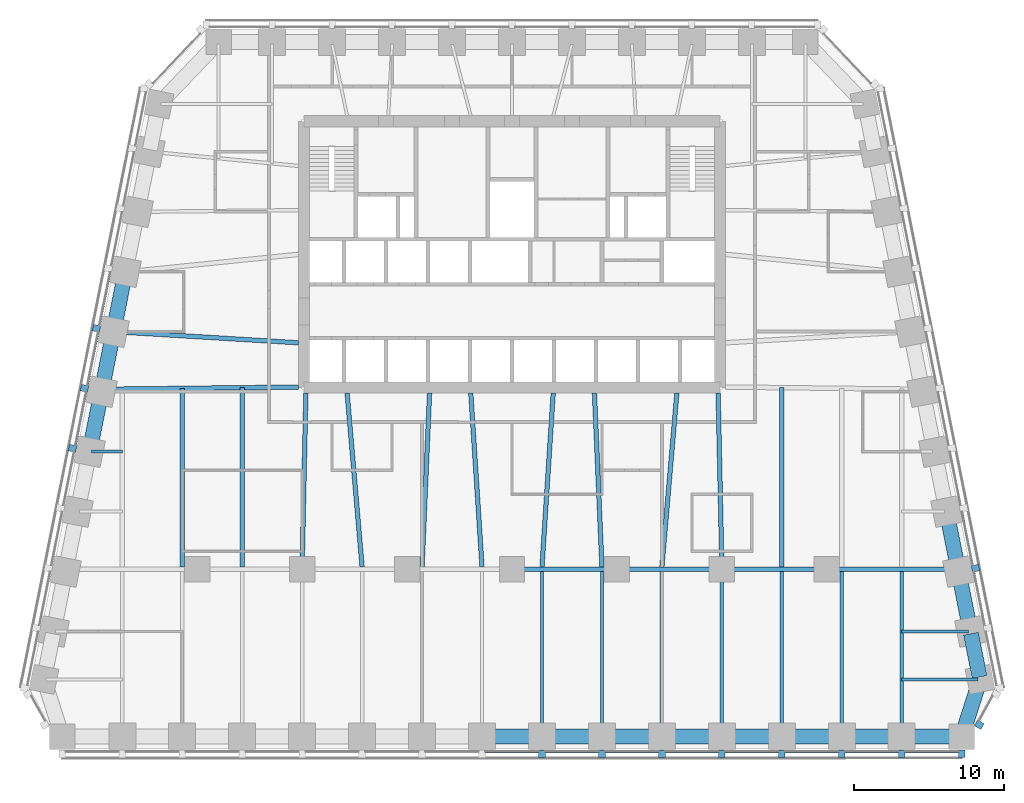
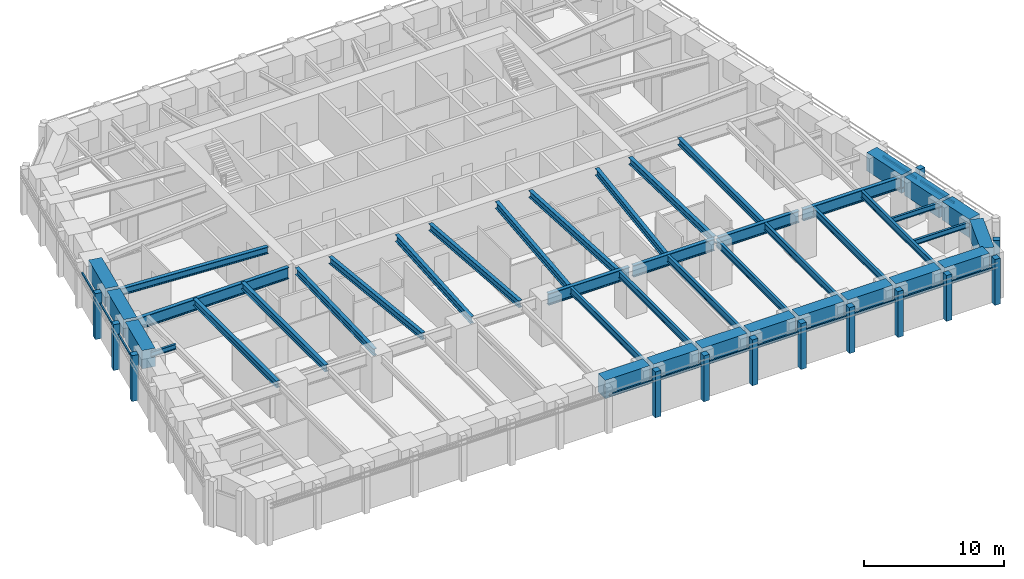
# One storey, part 2 of 10: 42 beams, 26 members, 4 elements without a shape of their own.
"""IFC4 building model written with IfcOpenShell, lengths in metres."""

from ifc_helpers import new_model, si_unit, direction, frame, origin, origin_2d, place, context, subcontext, project, spatial, rectangle, i_section, extrude, material, material_profile, profile_set, type_object, element, aggregate, save


model = new_model("IFC4")

# Units and contexts
model_context = context("Model", 3, precision=1e-05, world=origin(), true_north=direction((0.0, 1.0)))
body_context = subcontext(model_context, "Body", "Model", "MODEL_VIEW")
ifc_project = project(units=[si_unit("LENGTHUNIT", "METRE"), si_unit("AREAUNIT", "SQUARE_METRE"), si_unit("VOLUMEUNIT", "CUBIC_METRE"), si_unit("PLANEANGLEUNIT", "RADIAN"), si_unit("MASSUNIT", "GRAM", prefix="KILO")], contexts=[model_context])

# Site, building, storey
site_placement = place(None, origin())
site = spatial("IfcSite", under=ifc_project, at=site_placement, CompositionType="ELEMENT")
building_placement = place(site_placement, origin())
building = spatial("IfcBuilding", under=site, at=building_placement, Name="Isbrekke Arena Tower", CompositionType="ELEMENT")
storey_placement = place(building_placement, frame((0.0, 0.0, 155.0)))
storey = spatial("IfcBuildingStorey", under=building, at=storey_placement, Name="L35", CompositionType="ELEMENT", Elevation=155.0)

# Beams
ifc_material_1 = material(Name="Steel S355", Category="steel")
ifc_material_profile_1 = material_profile(ifc_material_1, i_section(OverallWidth=0.219970703125, OverallDepth=0.60009765625, WebThickness=0.011962890625, FlangeThickness=0.01904296875, FilletRadius=0.02392578125, at=origin_2d()), Name="IPE 600")
ifc_profile_set_1 = profile_set([ifc_material_profile_1], Name="Steel S355")
beam_type_1 = type_object("IfcBeamType", Name="B1 IPE 600", PredefinedType="BEAM", material=ifc_profile_set_1)
for number, where, z_axis, x_axis, name in (
    (1, (2.0, -17.02490234375, 3.550048828125), (0.0, 1.0, 0.0), (-1.0, 0.0, 0.0), "B1 beam S-S09 L35"),
    (2, (6.0, -17.02490234375, 3.550048828125), (0.0, 1.0, 0.0), (-1.0, 0.0, 0.0), "B1 beam S-S10 L35"),
    (3, (10.0, -17.02490234375, 3.550048828125), (0.0, 1.0, 0.0), (-1.0, 0.0, 0.0), "B1 beam S-S11 L35"),
):
    element("IfcBeam", number, at=place(storey_placement, frame(where, z_axis=z_axis, x_axis=x_axis)), inside=storey, type_object=beam_type_1, Name=name, PredefinedType="BEAM", context=body_context, shape_type="SweptSolid", body=[
        extrude(i_section(OverallWidth=0.219970703125, OverallDepth=0.60009765625, WebThickness=0.011962890625, FlangeThickness=0.01904296875, FilletRadius=0.02392578125, at=origin_2d()), origin(), (0.0, 0.0, 1.0), 10.8740234375),
    ])
beam_1_placement = place(storey_placement, frame((14.0, -17.02490234375, 3.550048828125), z_axis=(0.0, 1.0, 0.0), x_axis=(-1.0, 0.0, 0.0)))
element("IfcBeam", 4, at=beam_1_placement, inside=storey, type_object=beam_type_1, Name="B1 beam S-S12 L35", PredefinedType="BEAM", context=body_context, shape_type="SweptSolid", body=[
    extrude(i_section(OverallWidth=0.219970703125, OverallDepth=0.60009765625, WebThickness=0.011962890625, FlangeThickness=0.01904296875, FilletRadius=0.02392578125, at=origin_2d()), origin(), (0.0, 0.0, 1.0), 10.875),
])
for number, where, z_axis, x_axis, name in (
    (5, (18.0, -17.02490234375, 3.550048828125), (0.0, 1.0, 0.0), (-1.0, 0.0, 0.0), "B1 beam S-S13 L35"),
    (6, (22.0, -17.02490234375, 3.550048828125), (0.0, 1.0, 0.0), (-1.0, 0.0, 0.0), "B1 beam S-S14 L35"),
    (7, (26.0, -17.02490234375, 3.550048828125), (0.0, 1.0, 0.0), (-1.0, 0.0, 0.0), "B1 beam S-S15 L35"),
):
    element("IfcBeam", number, at=place(storey_placement, frame(where, z_axis=z_axis, x_axis=x_axis)), inside=storey, type_object=beam_type_1, Name=name, PredefinedType="BEAM", context=body_context, shape_type="SweptSolid", body=[
        extrude(i_section(OverallWidth=0.219970703125, OverallDepth=0.60009765625, WebThickness=0.011962890625, FlangeThickness=0.01904296875, FilletRadius=0.02392578125, at=origin_2d()), origin(), (0.0, 0.0, 1.0), 10.8740234375),
    ])
ifc_material_2 = material(Name="Steel S355", Category="steel")
ifc_material_profile_2 = material_profile(ifc_material_2, i_section(OverallWidth=0.18994140625, OverallDepth=0.449951171875, WebThickness=0.009521484375, FlangeThickness=0.0146484375, FilletRadius=0.02099609375, at=origin_2d()), Name="IPE 450")
ifc_profile_set_2 = profile_set([ifc_material_profile_2], Name="Steel S355")
beam_type_2 = type_object("IfcBeamType", Name="B2 IPE 450", PredefinedType="BEAM", material=ifc_profile_set_2)
beam_2_placement = place(storey_placement, frame((31.079345703125, -13.352783203125, 3.625), z_axis=(-1.0, 0.0, 0.0), x_axis=(0.0, -1.0, 0.0)))
element("IfcBeam", 8, at=beam_2_placement, inside=storey, type_object=beam_type_2, Name="B2 beam E-E01 L35", PredefinedType="BEAM", context=body_context, shape_type="SweptSolid", body=[
    extrude(i_section(OverallWidth=0.18994140625, OverallDepth=0.449951171875, WebThickness=0.009521484375, FlangeThickness=0.0146484375, FilletRadius=0.02099609375, at=origin_2d()), origin(), (0.0, 0.0, 1.0), 5.079345703125),
])
beam_3_placement = place(storey_placement, frame((30.44091796875, -10.161865234375, 3.625), z_axis=(-1.0, 0.0, 0.0), x_axis=(0.0, -1.0, 0.0)))
element("IfcBeam", 9, at=beam_3_placement, inside=storey, type_object=beam_type_2, Name="B2 beam E-E02 L35", PredefinedType="BEAM", context=body_context, shape_type="SweptSolid", body=[
    extrude(i_section(OverallWidth=0.18994140625, OverallDepth=0.449951171875, WebThickness=0.009521484375, FlangeThickness=0.0146484375, FilletRadius=0.02099609375, at=origin_2d()), origin(), (0.0, 0.0, 1.0), 4.44091796875),
])
beam_4_placement = place(storey_placement, frame((-28.041015625, 1.838134765625, 3.625), z_axis=(1.0, 0.0, 0.0), x_axis=(0.0, 1.0, 0.0)))
element("IfcBeam", 10, at=beam_4_placement, inside=storey, type_object=beam_type_2, Name="B2 beam E-W07 L35", PredefinedType="BEAM", context=body_context, shape_type="SweptSolid", body=[
    extrude(i_section(OverallWidth=0.18994140625, OverallDepth=0.449951171875, WebThickness=0.009521484375, FlangeThickness=0.0146484375, FilletRadius=0.02099609375, at=origin_2d()), origin(), (0.0, 0.0, 1.0), 2.041015625),
])
ifc_material_3 = material(Name="Steel S355", Category="steel")
ifc_material_profile_3 = material_profile(ifc_material_3, i_section(OverallWidth=0.300048828125, OverallDepth=0.60009765625, WebThickness=0.015380859375, FlangeThickness=0.030029296875, FilletRadius=0.027099609375, at=origin_2d()), Name="HEB 600")
ifc_profile_set_3 = profile_set([ifc_material_profile_3], Name="Steel S355")
beam_type_3 = type_object("IfcBeamType", Name="B7 HEB 600", PredefinedType="BEAM", material=ifc_profile_set_3)
beam_5_placement = place(storey_placement, frame((-22.0, -5.84912109375, 3.550048828125), z_axis=(0.0, 1.0, 0.0), x_axis=(-1.0, 0.0, 0.0)))
element("IfcBeam", 11, at=beam_5_placement, inside=storey, type_object=beam_type_3, Name="B7 beam C-M02 L35", PredefinedType="BEAM", context=body_context, shape_type="SweptSolid", body=[
    extrude(i_section(OverallWidth=0.300048828125, OverallDepth=0.60009765625, WebThickness=0.015380859375, FlangeThickness=0.030029296875, FilletRadius=0.027099609375, at=origin_2d()), origin(), (0.0, 0.0, 1.0), 11.91064453125),
])
beam_6_placement = place(storey_placement, frame((-18.0, -5.84912109375, 3.550048828125), z_axis=(0.0, 1.0, 0.0), x_axis=(-1.0, 0.0, 0.0)))
element("IfcBeam", 12, at=beam_6_placement, inside=storey, type_object=beam_type_3, Name="B7 beam C-M03 L35", PredefinedType="BEAM", context=body_context, shape_type="SweptSolid", body=[
    extrude(i_section(OverallWidth=0.300048828125, OverallDepth=0.60009765625, WebThickness=0.015380859375, FlangeThickness=0.030029296875, FilletRadius=0.027099609375, at=origin_2d()), origin(), (0.0, 0.0, 1.0), 11.956298828125),
])
beam_7_placement = place(storey_placement, frame((-14.0, -5.8466796875, 3.550048828125), z_axis=(0.021552887044, 0.999767709551, 0.0), x_axis=(-0.999767709551, 0.021552887044, 0.0)))
element("IfcBeam", 13, at=beam_7_placement, inside=storey, type_object=beam_type_3, Name="B7 beam C-M04 L35", PredefinedType="BEAM", context=body_context, shape_type="SweptSolid", body=[
    extrude(i_section(OverallWidth=0.300048828125, OverallDepth=0.60009765625, WebThickness=0.015380859375, FlangeThickness=0.030029296875, FilletRadius=0.027099609375, at=origin_2d()), origin(), (0.0, 0.0, 1.0), 11.599365234375),
])
beam_8_placement = place(storey_placement, frame((-10.001220703125, -5.836181640625, 3.550048828125), z_axis=(-0.085885827104, 0.996304985786, 0.0), x_axis=(-0.996304985786, -0.085885827104, 0.0)))
element("IfcBeam", 14, at=beam_8_placement, inside=storey, type_object=beam_type_3, Name="B7 beam C-M05 L35", PredefinedType="BEAM", context=body_context, shape_type="SweptSolid", body=[
    extrude(i_section(OverallWidth=0.300048828125, OverallDepth=0.60009765625, WebThickness=0.015380859375, FlangeThickness=0.030029296875, FilletRadius=0.027099609375, at=origin_2d()), origin(), (0.0, 0.0, 1.0), 11.629150390625),
])
beam_9_placement = place(storey_placement, frame((-5.999755859375, -5.842529296875, 3.550048828125), z_axis=(0.043070161667, 0.999072050041, 0.0), x_axis=(-0.999072050041, 0.043070161667, 0.0)))
element("IfcBeam", 15, at=beam_9_placement, inside=storey, type_object=beam_type_3, Name="B7 beam C-M06 L35", PredefinedType="BEAM", context=body_context, shape_type="SweptSolid", body=[
    extrude(i_section(OverallWidth=0.300048828125, OverallDepth=0.60009765625, WebThickness=0.015380859375, FlangeThickness=0.030029296875, FilletRadius=0.027099609375, at=origin_2d()), origin(), (0.0, 0.0, 1.0), 11.603271484375),
])
for number, where, z_axis, x_axis, name in (
    (16, (-2.000732421875, -5.83935546875, 3.550048828125), (-0.064516666031, 0.997916629686, 0.0), (-0.997916629686, -0.064516666031, 0.0), "B7 beam C-M07 L35"),
    (17, (2.000732421875, -5.83935546875, 3.550048828125), (0.064516666031, 0.997916629686, 0.0), (-0.997916629686, 0.064516666031, 0.0), "B7 beam C-M08 L35"),
):
    element("IfcBeam", number, at=place(storey_placement, frame(where, z_axis=z_axis, x_axis=x_axis)), inside=storey, type_object=beam_type_3, Name=name, PredefinedType="BEAM", context=body_context, shape_type="SweptSolid", body=[
        extrude(i_section(OverallWidth=0.300048828125, OverallDepth=0.60009765625, WebThickness=0.015380859375, FlangeThickness=0.030029296875, FilletRadius=0.027099609375, at=origin_2d()), origin(), (0.0, 0.0, 1.0), 11.613525390625),
    ])
beam_10_placement = place(storey_placement, frame((5.999755859375, -5.842529296875, 3.550048828125), z_axis=(-0.043070161667, 0.999072050041, 0.0), x_axis=(-0.999072050041, -0.043070161667, 0.0)))
element("IfcBeam", 18, at=beam_10_placement, inside=storey, type_object=beam_type_3, Name="B7 beam C-M09 L35", PredefinedType="BEAM", context=body_context, shape_type="SweptSolid", body=[
    extrude(i_section(OverallWidth=0.300048828125, OverallDepth=0.60009765625, WebThickness=0.015380859375, FlangeThickness=0.030029296875, FilletRadius=0.027099609375, at=origin_2d()), origin(), (0.0, 0.0, 1.0), 11.603271484375),
])
beam_11_placement = place(storey_placement, frame((10.001220703125, -5.836181640625, 3.550048828125), z_axis=(0.085885827104, 0.996304985786, 0.0), x_axis=(-0.996304985786, 0.085885827104, 0.0)))
element("IfcBeam", 19, at=beam_11_placement, inside=storey, type_object=beam_type_3, Name="B7 beam C-M10 L35", PredefinedType="BEAM", context=body_context, shape_type="SweptSolid", body=[
    extrude(i_section(OverallWidth=0.300048828125, OverallDepth=0.60009765625, WebThickness=0.015380859375, FlangeThickness=0.030029296875, FilletRadius=0.027099609375, at=origin_2d()), origin(), (0.0, 0.0, 1.0), 11.629150390625),
])
beam_12_placement = place(storey_placement, frame((14.0, -5.8466796875, 3.550048828125), z_axis=(-0.021552887044, 0.999767709551, 0.0), x_axis=(-0.999767709551, -0.021552887044, 0.0)))
element("IfcBeam", 20, at=beam_12_placement, inside=storey, type_object=beam_type_3, Name="B7 beam C-M11 L35", PredefinedType="BEAM", context=body_context, shape_type="SweptSolid", body=[
    extrude(i_section(OverallWidth=0.300048828125, OverallDepth=0.60009765625, WebThickness=0.015380859375, FlangeThickness=0.030029296875, FilletRadius=0.027099609375, at=origin_2d()), origin(), (0.0, 0.0, 1.0), 11.599365234375),
])
beam_13_placement = place(storey_placement, frame((18.0, -5.84912109375, 3.550048828125), z_axis=(0.0, 1.0, 0.0), x_axis=(-1.0, 0.0, 0.0)))
element("IfcBeam", 21, at=beam_13_placement, inside=storey, type_object=beam_type_3, Name="B7 beam C-M12 L35", PredefinedType="BEAM", context=body_context, shape_type="SweptSolid", body=[
    extrude(i_section(OverallWidth=0.300048828125, OverallDepth=0.60009765625, WebThickness=0.015380859375, FlangeThickness=0.030029296875, FilletRadius=0.027099609375, at=origin_2d()), origin(), (0.0, 0.0, 1.0), 11.956298828125),
])
beam_14_placement = place(storey_placement, frame((-26.431884765625, 9.837646484375, 3.550048828125), z_axis=(0.998172191876, -0.060434057993, 0.0), x_axis=(0.060434057993, 0.998172191876, 0.0)))
element("IfcBeam", 22, at=beam_14_placement, inside=storey, type_object=beam_type_3, Name="B7 beam E-W05 L35", PredefinedType="BEAM", context=body_context, shape_type="SweptSolid", body=[
    extrude(i_section(OverallWidth=0.300048828125, OverallDepth=0.60009765625, WebThickness=0.015380859375, FlangeThickness=0.030029296875, FilletRadius=0.027099609375, at=origin_2d()), origin(), (0.0, 0.0, 1.0), 12.2041015625),
])

# Curtain wall, members
ifc_material_4 = material(Name="Glazed aluminium curtain wall", Category="aluminium")
curtain_wall_type = type_object("IfcCurtainWallType", Name="CWM TOWER CURTAIN WALL MID ZONE", PredefinedType="USERDEFINED", material=ifc_material_4)
curtain_wall_1_placement = place(storey_placement, origin())
curtain_wall_1 = element("IfcCurtainWall", 23, at=curtain_wall_1_placement, inside=storey, type_object=curtain_wall_type, Name="CWM curtain wall L35-S", ObjectType="TOWER CURTAIN WALL MID ZONE", PredefinedType="USERDEFINED")
ifc_material_5 = material(Name="Aluminium mullion, pale brick slip cladding", Category="masonry")
ifc_material_profile_4 = material_profile(ifc_material_5, rectangle(XDim=0.449951171875, YDim=0.5, at=origin_2d()), Name="PIER 450X500")
ifc_profile_set_4 = profile_set([ifc_material_profile_4], Name="Aluminium mullion, pale brick slip cladding")
member_type_1 = type_object("IfcMemberType", Name="CWM-M PIER MULLION 450 x 500", PredefinedType="MULLION", material=ifc_profile_set_4)
member_1_placement = place(storey_placement, frame((2.0, -18.324951171875, 0.0), z_axis=(0.0, 0.0, 1.0), x_axis=(1.0, 0.0, 0.0)))
member_1 = element("IfcMember", 24, at=member_1_placement, type_object=member_type_1, Name="CWM-M mullion 9", PredefinedType="MULLION", context=body_context, shape_type="SweptSolid", body=[
    extrude(rectangle(XDim=0.449951171875, YDim=0.5, at=origin_2d()), origin(), (0.0, 0.0, 1.0), 4.0),
])
member_2_placement = place(storey_placement, frame((6.0, -18.324951171875, 0.0), z_axis=(0.0, 0.0, 1.0), x_axis=(1.0, 0.0, 0.0)))
member_2 = element("IfcMember", 25, at=member_2_placement, type_object=member_type_1, Name="CWM-M mullion 10", PredefinedType="MULLION", context=body_context, shape_type="SweptSolid", body=[
    extrude(rectangle(XDim=0.449951171875, YDim=0.5, at=origin_2d()), origin(), (0.0, 0.0, 1.0), 4.0),
])
member_3_placement = place(storey_placement, frame((10.0, -18.324951171875, 0.0), z_axis=(0.0, 0.0, 1.0), x_axis=(1.0, 0.0, 0.0)))
member_3 = element("IfcMember", 26, at=member_3_placement, type_object=member_type_1, Name="CWM-M mullion 11", PredefinedType="MULLION", context=body_context, shape_type="SweptSolid", body=[
    extrude(rectangle(XDim=0.449951171875, YDim=0.5, at=origin_2d()), origin(), (0.0, 0.0, 1.0), 4.0),
])
member_4_placement = place(storey_placement, frame((14.0, -18.324951171875, 0.0), z_axis=(0.0, 0.0, 1.0), x_axis=(1.0, 0.0, 0.0)))
member_4 = element("IfcMember", 27, at=member_4_placement, type_object=member_type_1, Name="CWM-M mullion 12", PredefinedType="MULLION", context=body_context, shape_type="SweptSolid", body=[
    extrude(rectangle(XDim=0.449951171875, YDim=0.5, at=origin_2d()), origin(), (0.0, 0.0, 1.0), 4.0),
])
member_5_placement = place(storey_placement, frame((18.0, -18.324951171875, 0.0), z_axis=(0.0, 0.0, 1.0), x_axis=(1.0, 0.0, 0.0)))
member_5 = element("IfcMember", 28, at=member_5_placement, type_object=member_type_1, Name="CWM-M mullion 13", PredefinedType="MULLION", context=body_context, shape_type="SweptSolid", body=[
    extrude(rectangle(XDim=0.449951171875, YDim=0.5, at=origin_2d()), origin(), (0.0, 0.0, 1.0), 4.0),
])
member_6_placement = place(storey_placement, frame((22.0, -18.324951171875, 0.0), z_axis=(0.0, 0.0, 1.0), x_axis=(1.0, 0.0, 0.0)))
member_6 = element("IfcMember", 29, at=member_6_placement, type_object=member_type_1, Name="CWM-M mullion 14", PredefinedType="MULLION", context=body_context, shape_type="SweptSolid", body=[
    extrude(rectangle(XDim=0.449951171875, YDim=0.5, at=origin_2d()), origin(), (0.0, 0.0, 1.0), 4.0),
])
member_7_placement = place(storey_placement, frame((26.0, -18.324951171875, 0.0), z_axis=(0.0, 0.0, 1.0), x_axis=(1.0, 0.0, 0.0)))
member_7 = element("IfcMember", 30, at=member_7_placement, type_object=member_type_1, Name="CWM-M mullion 15", PredefinedType="MULLION", context=body_context, shape_type="SweptSolid", body=[
    extrude(rectangle(XDim=0.449951171875, YDim=0.5, at=origin_2d()), origin(), (0.0, 0.0, 1.0), 4.0),
])
member_8_placement = place(storey_placement, frame((30.0, -18.324951171875, 0.0), z_axis=(0.0, 0.0, 1.0), x_axis=(1.0, 0.0, 0.0)))
member_8 = element("IfcMember", 31, at=member_8_placement, type_object=member_type_1, Name="CWM-M mullion 16", PredefinedType="MULLION", context=body_context, shape_type="SweptSolid", body=[
    extrude(rectangle(XDim=0.449951171875, YDim=0.5, at=origin_2d()), origin(), (0.0, 0.0, 1.0), 4.0),
])

# Curtain wall, member
curtain_wall_2_placement = place(storey_placement, origin())
curtain_wall_2 = element("IfcCurtainWall", 32, at=curtain_wall_2_placement, inside=storey, type_object=curtain_wall_type, Name="CWM curtain wall L35-SE", ObjectType="TOWER CURTAIN WALL MID ZONE", PredefinedType="USERDEFINED")
member_9_placement = place(storey_placement, frame((31.17529296875, -16.382080078125, 0.0), z_axis=(0.0, 0.0, 1.0), x_axis=(0.481918749773, 0.876215908676, 0.0)))
member_9 = element("IfcMember", 33, at=member_9_placement, type_object=member_type_1, Name="CWM-M mullion 1", PredefinedType="MULLION", context=body_context, shape_type="SweptSolid", body=[
    extrude(rectangle(XDim=0.449951171875, YDim=0.5, at=origin_2d()), origin(), (0.0, 0.0, 1.0), 4.0),
])
aggregate(curtain_wall_2, [member_9])

curtain_wall_3_placement = place(storey_placement, origin())
curtain_wall_3 = element("IfcCurtainWall", 34, at=curtain_wall_3_placement, inside=storey, type_object=curtain_wall_type, Name="CWM curtain wall L35-E", ObjectType="TOWER CURTAIN WALL MID ZONE", PredefinedType="USERDEFINED")
member_10_placement = place(storey_placement, frame((30.918701171875, -5.936279296875, 0.0), z_axis=(0.0, 0.0, 1.0), x_axis=(-0.196116135138, 0.980580675691, 0.0)))
member_10 = element("IfcMember", 35, at=member_10_placement, type_object=member_type_1, Name="CWM-M mullion 3", PredefinedType="MULLION", context=body_context, shape_type="SweptSolid", body=[
    extrude(rectangle(XDim=0.449951171875, YDim=0.5, at=origin_2d()), origin(), (0.0, 0.0, 1.0), 4.0),
])

# Curtain wall, members
curtain_wall_4_placement = place(storey_placement, origin())
curtain_wall_4 = element("IfcCurtainWall", 36, at=curtain_wall_4_placement, inside=storey, type_object=curtain_wall_type, Name="CWM curtain wall L35-W", ObjectType="TOWER CURTAIN WALL MID ZONE", PredefinedType="USERDEFINED")
member_11_placement = place(storey_placement, frame((-27.71875, 10.063720703125, 0.0), z_axis=(0.0, 0.0, 1.0), x_axis=(-0.196116135138, -0.980580675691, 0.0)))
member_11 = element("IfcMember", 37, at=member_11_placement, type_object=member_type_1, Name="CWM-M mullion 5", PredefinedType="MULLION", context=body_context, shape_type="SweptSolid", body=[
    extrude(rectangle(XDim=0.449951171875, YDim=0.5, at=origin_2d()), origin(), (0.0, 0.0, 1.0), 4.0),
])
member_12_placement = place(storey_placement, frame((-28.518798828125, 6.063720703125, 0.0), z_axis=(0.0, 0.0, 1.0), x_axis=(-0.196116135138, -0.980580675691, 0.0)))
member_12 = element("IfcMember", 38, at=member_12_placement, type_object=member_type_1, Name="CWM-M mullion 6", PredefinedType="MULLION", context=body_context, shape_type="SweptSolid", body=[
    extrude(rectangle(XDim=0.449951171875, YDim=0.5, at=origin_2d()), origin(), (0.0, 0.0, 1.0), 4.0),
])
member_13_placement = place(storey_placement, frame((-29.318603515625, 2.063720703125, 0.0), z_axis=(0.0, 0.0, 1.0), x_axis=(-0.196116135138, -0.980580675691, 0.0)))
member_13 = element("IfcMember", 39, at=member_13_placement, type_object=member_type_1, Name="CWM-M mullion 7", PredefinedType="MULLION", context=body_context, shape_type="SweptSolid", body=[
    extrude(rectangle(XDim=0.449951171875, YDim=0.5, at=origin_2d()), origin(), (0.0, 0.0, 1.0), 4.0),
])

# Member
ifc_material_6 = material(Name="Aluminium transom", Category="aluminium")
ifc_material_profile_5 = material_profile(ifc_material_6, rectangle(XDim=0.1201171875, YDim=0.199951171875, at=origin_2d()), Name="TRANSOM 120X200")
ifc_profile_set_5 = profile_set([ifc_material_profile_5], Name="Aluminium transom")
member_type_2 = type_object("IfcMemberType", Name="CWM-T TRANSOM 120 x 200", PredefinedType="USERDEFINED", material=ifc_profile_set_5)
member_14_placement = place(storey_placement, frame((-1.77490234375, -18.175048828125, 3.0), z_axis=(1.0, 0.0, 0.0), x_axis=(0.0, 1.0, 0.0)))
member_14 = element("IfcMember", 40, at=member_14_placement, type_object=member_type_2, Name="CWM-T transom 8", ObjectType="TRANSOM", PredefinedType="USERDEFINED", context=body_context, shape_type="SweptSolid", body=[
    extrude(rectangle(XDim=0.1201171875, YDim=0.199951171875, at=origin_2d()), origin(), (0.0, 0.0, 1.0), 3.5498046875),
])

member_15_placement = place(storey_placement, frame((2.22509765625, -18.175048828125, 3.0), z_axis=(1.0, 0.0, 0.0), x_axis=(0.0, 1.0, 0.0)))
member_15 = element("IfcMember", 41, at=member_15_placement, type_object=member_type_2, Name="CWM-T transom 9", ObjectType="TRANSOM", PredefinedType="USERDEFINED", context=body_context, shape_type="SweptSolid", body=[
    extrude(rectangle(XDim=0.1201171875, YDim=0.199951171875, at=origin_2d()), origin(), (0.0, 0.0, 1.0), 3.5498046875),
])

member_16_placement = place(storey_placement, frame((6.22509765625, -18.175048828125, 3.0), z_axis=(1.0, 0.0, 0.0), x_axis=(0.0, 1.0, 0.0)))
member_16 = element("IfcMember", 42, at=member_16_placement, type_object=member_type_2, Name="CWM-T transom 10", ObjectType="TRANSOM", PredefinedType="USERDEFINED", context=body_context, shape_type="SweptSolid", body=[
    extrude(rectangle(XDim=0.1201171875, YDim=0.199951171875, at=origin_2d()), origin(), (0.0, 0.0, 1.0), 3.5498046875),
])

member_17_placement = place(storey_placement, frame((10.22509765625, -18.175048828125, 3.0), z_axis=(1.0, 0.0, 0.0), x_axis=(0.0, 1.0, 0.0)))
member_17 = element("IfcMember", 43, at=member_17_placement, type_object=member_type_2, Name="CWM-T transom 11", ObjectType="TRANSOM", PredefinedType="USERDEFINED", context=body_context, shape_type="SweptSolid", body=[
    extrude(rectangle(XDim=0.1201171875, YDim=0.199951171875, at=origin_2d()), origin(), (0.0, 0.0, 1.0), 3.5498046875),
])

member_18_placement = place(storey_placement, frame((14.22509765625, -18.175048828125, 3.0), z_axis=(1.0, 0.0, 0.0), x_axis=(0.0, 1.0, 0.0)))
member_18 = element("IfcMember", 44, at=member_18_placement, type_object=member_type_2, Name="CWM-T transom 12", ObjectType="TRANSOM", PredefinedType="USERDEFINED", context=body_context, shape_type="SweptSolid", body=[
    extrude(rectangle(XDim=0.1201171875, YDim=0.199951171875, at=origin_2d()), origin(), (0.0, 0.0, 1.0), 3.5498046875),
])

member_19_placement = place(storey_placement, frame((18.22509765625, -18.175048828125, 3.0), z_axis=(1.0, 0.0, 0.0), x_axis=(0.0, 1.0, 0.0)))
member_19 = element("IfcMember", 45, at=member_19_placement, type_object=member_type_2, Name="CWM-T transom 13", ObjectType="TRANSOM", PredefinedType="USERDEFINED", context=body_context, shape_type="SweptSolid", body=[
    extrude(rectangle(XDim=0.1201171875, YDim=0.199951171875, at=origin_2d()), origin(), (0.0, 0.0, 1.0), 3.5498046875),
])

member_20_placement = place(storey_placement, frame((22.22509765625, -18.175048828125, 3.0), z_axis=(1.0, 0.0, 0.0), x_axis=(0.0, 1.0, 0.0)))
member_20 = element("IfcMember", 46, at=member_20_placement, type_object=member_type_2, Name="CWM-T transom 14", ObjectType="TRANSOM", PredefinedType="USERDEFINED", context=body_context, shape_type="SweptSolid", body=[
    extrude(rectangle(XDim=0.1201171875, YDim=0.199951171875, at=origin_2d()), origin(), (0.0, 0.0, 1.0), 3.5498046875),
])

member_21_placement = place(storey_placement, frame((26.22509765625, -18.175048828125, 3.0), z_axis=(1.0, 0.0, 0.0), x_axis=(0.0, 1.0, 0.0)))
member_21 = element("IfcMember", 47, at=member_21_placement, type_object=member_type_2, Name="CWM-T transom 15", ObjectType="TRANSOM", PredefinedType="USERDEFINED", context=body_context, shape_type="SweptSolid", body=[
    extrude(rectangle(XDim=0.1201171875, YDim=0.199951171875, at=origin_2d()), origin(), (0.0, 0.0, 1.0), 3.5498046875),
])

aggregate(curtain_wall_1, [member_1, member_2, member_3, member_4, member_5, member_6, member_7, member_8, member_14, member_15, member_16, member_17, member_18, member_19, member_20, member_21])

member_22_placement = place(storey_placement, frame((31.527587890625, -9.7451171875, 3.0), z_axis=(-0.196154943734, 0.980572913173, 0.0), x_axis=(-0.980572913173, -0.196154943734, 0.0)))
member_22 = element("IfcMember", 48, at=member_22_placement, type_object=member_type_2, Name="CWM-T transom 2", ObjectType="TRANSOM", PredefinedType="USERDEFINED", context=body_context, shape_type="SweptSolid", body=[
    extrude(rectangle(XDim=0.1201171875, YDim=0.199951171875, at=origin_2d()), origin(), (0.0, 0.0, 1.0), 3.62939453125),
])

member_23_placement = place(storey_placement, frame((30.7275390625, -5.7451171875, 3.0), z_axis=(-0.196154943734, 0.980572913173, 0.0), x_axis=(-0.980572913173, -0.196154943734, 0.0)))
member_23 = element("IfcMember", 49, at=member_23_placement, type_object=member_type_2, Name="CWM-T transom 3", ObjectType="TRANSOM", PredefinedType="USERDEFINED", context=body_context, shape_type="SweptSolid", body=[
    extrude(rectangle(XDim=0.1201171875, YDim=0.199951171875, at=origin_2d()), origin(), (0.0, 0.0, 1.0), 3.62939453125),
])

aggregate(curtain_wall_3, [member_10, member_22, member_23])

member_24_placement = place(storey_placement, frame((-26.815673828125, 13.813720703125, 3.0), z_axis=(-0.196154943734, -0.980572913173, 0.0), x_axis=(0.980572913173, -0.196154943734, 0.0)))
member_24 = element("IfcMember", 50, at=member_24_placement, type_object=member_type_2, Name="CWM-T transom 4", ObjectType="TRANSOM", PredefinedType="USERDEFINED", context=body_context, shape_type="SweptSolid", body=[
    extrude(rectangle(XDim=0.1201171875, YDim=0.199951171875, at=origin_2d()), origin(), (0.0, 0.0, 1.0), 3.62939453125),
])

member_25_placement = place(storey_placement, frame((-27.61572265625, 9.813720703125, 3.0), z_axis=(-0.196090262229, -0.980585849918, 0.0), x_axis=(0.980585849918, -0.196090262229, 0.0)))
member_25 = element("IfcMember", 51, at=member_25_placement, type_object=member_type_2, Name="CWM-T transom 5", ObjectType="TRANSOM", PredefinedType="USERDEFINED", context=body_context, shape_type="SweptSolid", body=[
    extrude(rectangle(XDim=0.1201171875, YDim=0.199951171875, at=origin_2d()), origin(), (0.0, 0.0, 1.0), 3.62939453125),
])

member_26_placement = place(storey_placement, frame((-28.415771484375, 5.813720703125, 3.0), z_axis=(-0.196090262229, -0.980585849918, 0.0), x_axis=(0.980585849918, -0.196090262229, 0.0)))
member_26 = element("IfcMember", 52, at=member_26_placement, type_object=member_type_2, Name="CWM-T transom 6", ObjectType="TRANSOM", PredefinedType="USERDEFINED", context=body_context, shape_type="SweptSolid", body=[
    extrude(rectangle(XDim=0.1201171875, YDim=0.199951171875, at=origin_2d()), origin(), (0.0, 0.0, 1.0), 3.62939453125),
])

aggregate(curtain_wall_4, [member_11, member_12, member_13, member_24, member_25, member_26])

# Beams
ifc_material_7 = material(Name="Steel S355", Category="steel")
ifc_material_profile_6 = material_profile(ifc_material_7, i_section(OverallWidth=0.302001953125, OverallDepth=1.008056640625, WebThickness=0.02099609375, FlangeThickness=0.0400390625, FilletRadius=0.030029296875, at=origin_2d()), Name="HEM 1000")
ifc_profile_set_6 = profile_set([ifc_material_profile_6], Name="Steel S355")
beam_type_4 = type_object("IfcBeamType", Name="G1 HEM 1000", PredefinedType="BEAM", material=ifc_profile_set_6)
for number, where, z_axis, x_axis, name in (
    (53, (0.14990234375, -6.0, 3.345947265625), (1.0, 0.0, 0.0), (0.0, 1.0, 0.0), "G1 beam G1-05 L35"),
    (54, (7.14990234375, -6.0, 3.345947265625), (1.0, 0.0, 0.0), (0.0, 1.0, 0.0), "G1 beam G1-06 L35"),
    (55, (14.14990234375, -6.0, 3.345947265625), (1.0, 0.0, 0.0), (0.0, 1.0, 0.0), "G1 beam G1-07 L35"),
):
    element("IfcBeam", number, at=place(storey_placement, frame(where, z_axis=z_axis, x_axis=x_axis)), inside=storey, type_object=beam_type_4, Name=name, PredefinedType="BEAM", context=body_context, shape_type="SweptSolid", body=[
        extrude(i_section(OverallWidth=0.302001953125, OverallDepth=1.008056640625, WebThickness=0.02099609375, FlangeThickness=0.0400390625, FilletRadius=0.030029296875, at=origin_2d()), origin(), (0.0, 0.0, 1.0), 6.7001953125),
    ])
beam_15_placement = place(storey_placement, frame((21.14990234375, -6.0, 3.345947265625), z_axis=(1.0, 0.0, 0.0), x_axis=(0.0, 1.0, 0.0)))
element("IfcBeam", 56, at=beam_15_placement, inside=storey, type_object=beam_type_4, Name="G1 beam G1-08 L35", PredefinedType="BEAM", context=body_context, shape_type="SweptSolid", body=[
    extrude(i_section(OverallWidth=0.302001953125, OverallDepth=1.008056640625, WebThickness=0.02099609375, FlangeThickness=0.0400390625, FilletRadius=0.030029296875, at=origin_2d()), origin(), (0.0, 0.0, 1.0), 8.64111328125),
])
ifc_material_8 = material(Name="Steel S355", Category="steel")
ifc_material_profile_7 = material_profile(ifc_material_8, i_section(OverallWidth=0.302001953125, OverallDepth=1.008056640625, WebThickness=0.02099609375, FlangeThickness=0.0400390625, FilletRadius=0.030029296875, at=origin_2d()), Name="HEM 1000")
ifc_profile_set_7 = profile_set([ifc_material_profile_7], Name="Steel S355")
beam_type_5 = type_object("IfcBeamType", Name="G2 HEM 1000", PredefinedType="BEAM", material=ifc_profile_set_7)
beam_16_placement = place(storey_placement, frame((-14.25, 6.14990234375, 3.345947265625), z_axis=(-0.999934928157, -0.011407867963, 0.0), x_axis=(0.011407867963, -0.999934928157, 0.0)))
element("IfcBeam", 57, at=beam_16_placement, inside=storey, type_object=beam_type_5, Name="G2 beam G2-W L35", PredefinedType="BEAM", context=body_context, shape_type="SweptSolid", body=[
    extrude(i_section(OverallWidth=0.302001953125, OverallDepth=1.008056640625, WebThickness=0.02099609375, FlangeThickness=0.0400390625, FilletRadius=0.030029296875, at=origin_2d()), origin(), (0.0, 0.0, 1.0), 13.140380859375),
])
ifc_material_9 = material(Name="Concrete B80 (C80/95)", Category="concrete")
ifc_material_profile_8 = material_profile(ifc_material_9, rectangle(XDim=1.0, YDim=1.60009765625, at=origin_2d()), Name="RC 1000x1600")
ifc_profile_set_8 = profile_set([ifc_material_profile_8], Name="Concrete B80 (C80/95)")
beam_type_6 = type_object("IfcBeamType", Name="SB2 RC 1000 x 1600", PredefinedType="SPANDREL", material=ifc_profile_set_8)
for number, where, z_axis, x_axis, name in (
    (58, (-1.85009765625, -17.175048828125, 3.199951171875), (1.0, 0.0, 0.0), (0.0, 1.0, 0.0), "SB2 spandrel S08-S09 L35"),
    (59, (2.14990234375, -17.175048828125, 3.199951171875), (1.0, 0.0, 0.0), (0.0, 1.0, 0.0), "SB2 spandrel S09-S10 L35"),
    (60, (6.14990234375, -17.175048828125, 3.199951171875), (1.0, 0.0, 0.0), (0.0, 1.0, 0.0), "SB2 spandrel S10-S11 L35"),
    (61, (10.14990234375, -17.175048828125, 3.199951171875), (1.0, 0.0, 0.0), (0.0, 1.0, 0.0), "SB2 spandrel S11-S12 L35"),
    (62, (14.14990234375, -17.175048828125, 3.199951171875), (1.0, 0.0, 0.0), (0.0, 1.0, 0.0), "SB2 spandrel S12-S13 L35"),
    (63, (18.14990234375, -17.175048828125, 3.199951171875), (1.0, 0.0, 0.0), (0.0, 1.0, 0.0), "SB2 spandrel S13-S14 L35"),
    (64, (22.14990234375, -17.175048828125, 3.199951171875), (1.0, 0.0, 0.0), (0.0, 1.0, 0.0), "SB2 spandrel S14-S15 L35"),
    (65, (26.14990234375, -17.175048828125, 3.199951171875), (1.0, 0.0, 0.0), (0.0, 1.0, 0.0), "SB2 spandrel S15-S16 L35"),
):
    element("IfcBeam", number, at=place(storey_placement, frame(where, z_axis=z_axis, x_axis=x_axis)), inside=storey, type_object=beam_type_6, Name=name, PredefinedType="SPANDREL", context=body_context, shape_type="SweptSolid", body=[
        extrude(rectangle(XDim=1.0, YDim=1.60009765625, at=origin_2d()), origin(), (0.0, 0.0, 1.0), 3.7001953125),
    ])
beam_17_placement = place(storey_placement, frame((30.0458984375, -17.0322265625, 3.199951171875), z_axis=(0.306175101476, 0.951975213562, 0.0), x_axis=(-0.951975213562, 0.306175101476, 0.0)))
element("IfcBeam", 66, at=beam_17_placement, inside=storey, type_object=beam_type_6, Name="SB2 spandrel S16-E01 L35", PredefinedType="SPANDREL", context=body_context, shape_type="SweptSolid", body=[
    extrude(rectangle(XDim=1.0, YDim=1.60009765625, at=origin_2d()), origin(), (0.0, 0.0, 1.0), 3.715087890625),
])
beam_18_placement = place(storey_placement, frame((31.19970703125, -13.205810546875, 3.199951171875), z_axis=(-0.196100243168, 0.980583853951, 0.0), x_axis=(-0.980583853951, -0.196100243168, 0.0)))
element("IfcBeam", 67, at=beam_18_placement, inside=storey, type_object=beam_type_6, Name="SB2 spandrel E01-E02 L35", PredefinedType="SPANDREL", context=body_context, shape_type="SweptSolid", body=[
    extrude(rectangle(XDim=1.0, YDim=1.60009765625, at=origin_2d()), origin(), (0.0, 0.0, 1.0), 2.954345703125),
])
beam_19_placement = place(storey_placement, frame((30.5615234375, -10.0146484375, 3.199951171875), z_axis=(-0.1960664412, 0.980590613169, 0.0), x_axis=(-0.980590613169, -0.1960664412, 0.0)))
element("IfcBeam", 68, at=beam_19_placement, inside=storey, type_object=beam_type_6, Name="SB2 spandrel E02-E03 L35", PredefinedType="SPANDREL", context=body_context, shape_type="SweptSolid", body=[
    extrude(rectangle(XDim=1.0, YDim=1.60009765625, at=origin_2d()), origin(), (0.0, 0.0, 1.0), 3.779052734375),
])
beam_20_placement = place(storey_placement, frame((29.76171875, -6.0146484375, 3.199951171875), z_axis=(-0.196128558387, 0.980578190959, 0.0), x_axis=(-0.980578190959, -0.196128558387, 0.0)))
element("IfcBeam", 69, at=beam_20_placement, inside=storey, type_object=beam_type_6, Name="SB2 spandrel E03-E04 L35", PredefinedType="SPANDREL", context=body_context, shape_type="SweptSolid", body=[
    extrude(rectangle(XDim=1.0, YDim=1.60009765625, at=origin_2d()), origin(), (0.0, 0.0, 1.0), 3.779296875),
])
beam_21_placement = place(storey_placement, frame((-25.820556640625, 13.691162109375, 3.199951171875), z_axis=(-0.1960664412, -0.980590613169, 0.0), x_axis=(0.980590613169, -0.1960664412, 0.0)))
element("IfcBeam", 70, at=beam_21_placement, inside=storey, type_object=beam_type_6, Name="SB2 spandrel W04-W05 L35", PredefinedType="SPANDREL", context=body_context, shape_type="SweptSolid", body=[
    extrude(rectangle(XDim=1.0, YDim=1.60009765625, at=origin_2d()), origin(), (0.0, 0.0, 1.0), 3.779052734375),
])
for number, where, z_axis, x_axis, name in (
    (71, (-26.620361328125, 9.691162109375, 3.199951171875), (-0.196128558387, -0.980578190959, 0.0), (0.980578190959, -0.196128558387, 0.0), "SB2 spandrel W05-W06 L35"),
    (72, (-27.42041015625, 5.691162109375, 3.199951171875), (-0.196128558387, -0.980578190959, 0.0), (0.980578190959, -0.196128558387, 0.0), "SB2 spandrel W06-W07 L35"),
):
    element("IfcBeam", number, at=place(storey_placement, frame(where, z_axis=z_axis, x_axis=x_axis)), inside=storey, type_object=beam_type_6, Name=name, PredefinedType="SPANDREL", context=body_context, shape_type="SweptSolid", body=[
        extrude(rectangle(XDim=1.0, YDim=1.60009765625, at=origin_2d()), origin(), (0.0, 0.0, 1.0), 3.779296875),
    ])

save(model, "model.ifc")
